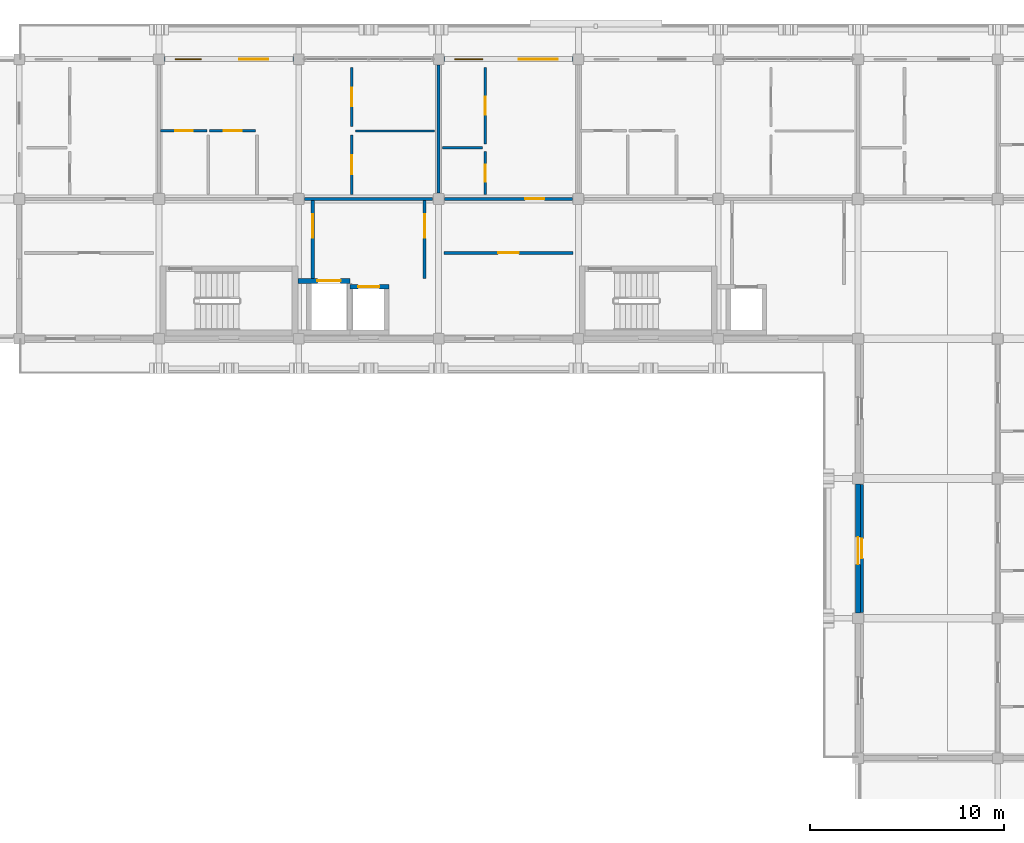
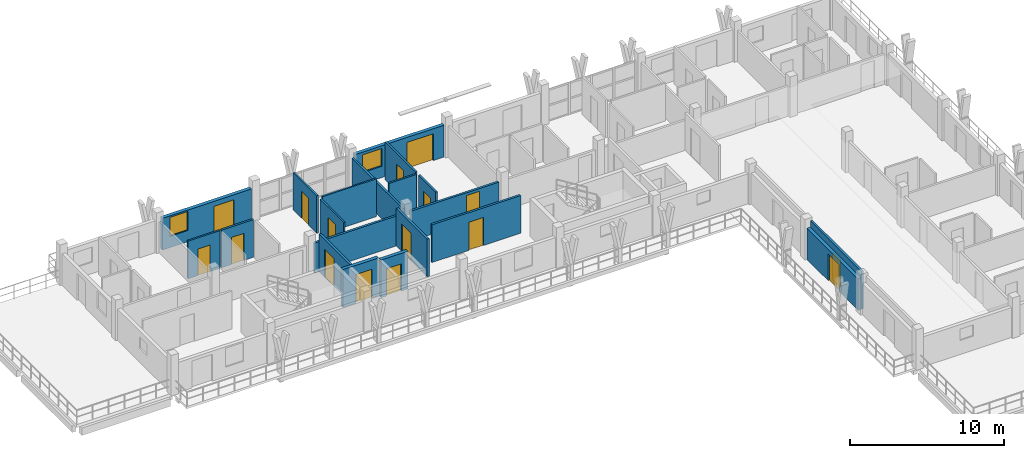
# One storey, part 50 of 73: 20 walls, 16 doors, 2 windows, 18 openings.
"""IFC4 building model written with IfcOpenShell, lengths in metres."""

from ifc_helpers import new_model, si_unit, direction, frame, frame_2d, origin, place, context, subcontext, project, spatial, rectangle, extrude, material, layer, layer_set, type_object, element, fill, save


model = new_model("IFC4")

# Units and contexts
model_context = context("Model", 3, precision=1e-05, world=origin(), true_north=direction((0.0, 1.0)))
body_context = subcontext(model_context, "Body", "Model", "MODEL_VIEW")
ifc_project = project(units=[si_unit("LENGTHUNIT", "METRE"), si_unit("AREAUNIT", "SQUARE_METRE"), si_unit("VOLUMEUNIT", "CUBIC_METRE"), si_unit("PLANEANGLEUNIT", "RADIAN"), si_unit("MASSUNIT", "GRAM", prefix="KILO")], contexts=[model_context])

# Site, building, storey
site_placement = place(None, origin())
site = spatial("IfcSite", under=ifc_project, at=site_placement, CompositionType="ELEMENT")
building_placement = place(site_placement, origin())
building = spatial("IfcBuilding", under=site, at=building_placement, Name="Suanplinth Sawtooth Commons", CompositionType="ELEMENT")
storey_placement = place(building_placement, frame((0.0, 0.0, 21.89990234375)))
storey = spatial("IfcBuildingStorey", under=building, at=storey_placement, Name="L06", CompositionType="ELEMENT", Elevation=21.89990234375)

# Wall, openings, door, window
ifc_material_1 = material(Name="Precast concrete C40/50", Category="concrete")
ifc_layer_1 = layer(ifc_material_1, 0.260009765625, Name="Insulated precast courtyard facade wall 260mm")
ifc_layer_set_1 = layer_set([ifc_layer_1], Name="Precast concrete C40/50")
wall_type_1 = type_object("IfcWallType", Name="W-EX02", PredefinedType="ELEMENTEDWALL", material=ifc_layer_set_1)
wall_1_placement = place(storey_placement, frame((137.074951171875, 122.39990234375, 0.0), z_axis=(0.0, 0.0, 1.0), x_axis=(1.0, 0.0, 0.0)))
wall_1 = element("IfcWall", 1, at=wall_1_placement, inside=storey, type_object=wall_type_1, Name="Facade Wall W-L06-B-N-19-16", PredefinedType="ELEMENTEDWALL", context=body_context, shape_type="SweptSolid", body=[
    extrude(rectangle(XDim=6.650146484375, YDim=0.260009765625, at=frame_2d((3.3251953125, 0.0))), origin(), (0.0, 0.0, 1.0), 2.51513671875),
])
opening_1_placement = place(wall_1_placement, frame((3.85009765625, 0.0, 0.0)))
opening_1 = element("IfcOpeningElement", 2, at=opening_1_placement, cuts=wall_1, Name="Opening ED0502", PredefinedType="OPENING", context=body_context, shape_type="SweptSolid", body=[
    extrude(rectangle(XDim=1.5, YDim=2.1201171875, at=frame_2d((0.75, 1.06005859375))), frame((0.0, 0.14501953125, 0.0), z_axis=(0.0, -1.0, 0.0), x_axis=(1.0, 0.0, 0.0)), (0.0, 0.0, 1.0), 0.289794921875),
])
opening_2_placement = place(wall_1_placement, frame((0.550048828125, 0.0, 0.89990234375)))
opening_2 = element("IfcOpeningElement", 3, at=opening_2_placement, cuts=wall_1, Name="Opening W0588", PredefinedType="OPENING", context=body_context, shape_type="SweptSolid", body=[
    extrude(rectangle(XDim=1.35009765625, YDim=1.5, at=frame_2d((0.675048828125, 0.75))), frame((0.0, 0.14501953125, 0.0), z_axis=(0.0, -1.0, 0.0), x_axis=(1.0, 0.0, 0.0)), (0.0, 0.0, 1.0), 0.289794921875),
])
ifc_material_2 = material(Name="Anodized aluminium and low-E glass", Category="aluminium")
door_type_1 = type_object("IfcDoorType", Name="SD-03", OperationType="SLIDING_TO_LEFT", PredefinedType="DOOR", material=ifc_material_2)
door_1_placement = place(opening_1_placement, frame((1.5, 0.0, 0.0), z_axis=(0.0, 0.0, 1.0), x_axis=(-1.0, 0.0, 0.0)))
door_1 = element("IfcDoor", 4, at=door_1_placement, inside=storey, type_object=door_type_1, Name="Balcony Sliding Door L06-B-19", OperationType="SLIDING_TO_LEFT", OverallHeight=2.1201171875, OverallWidth=1.5, PredefinedType="DOOR", context=body_context, shape_type="SweptSolid", body=[
    extrude(rectangle(XDim=1.5, YDim=2.1201171875, at=frame_2d((0.75, 1.06005859375))), frame((0.0, 0.02490234375, 0.0), z_axis=(0.0, -1.0, 0.0), x_axis=(1.0, 0.0, 0.0)), (0.0, 0.0, 1.0), 0.050048828125),
])
fill(opening_1, door_1)
ifc_material_3 = material(Name="Thermally broken aluminium and low-E double glazing", Category="aluminium")
window_type_1 = type_object("IfcWindowType", Name="WN-14", PartitioningType="SINGLE_PANEL", PredefinedType="WINDOW", material=ifc_material_3)
window_1_placement = place(opening_2_placement, origin())
window_1 = element("IfcWindow", 5, at=window_1_placement, inside=storey, type_object=window_type_1, Name="Apartment Window L06-B-19", OverallHeight=1.5, OverallWidth=1.35009765625, PartitioningType="SINGLE_PANEL", PredefinedType="WINDOW", context=body_context, shape_type="SweptSolid", body=[
    extrude(rectangle(XDim=1.35009765625, YDim=1.5, at=frame_2d((0.675048828125, 0.75))), frame((0.0, 0.030029296875, 0.0), z_axis=(0.0, -1.0, 0.0), x_axis=(1.0, 0.0, 0.0)), (0.0, 0.0, 1.0), 0.06005859375),
])
fill(opening_2, window_1)

wall_2_placement = place(storey_placement, frame((151.47509765625, 122.39990234375, 0.0), z_axis=(0.0, 0.0, 1.0), x_axis=(1.0, 0.0, 0.0)))
wall_2 = element("IfcWall", 6, at=wall_2_placement, inside=storey, type_object=wall_type_1, Name="Facade Wall W-L06-B-N-21-16", PredefinedType="ELEMENTEDWALL", context=body_context, shape_type="SweptSolid", body=[
    extrude(rectangle(XDim=6.64990234375, YDim=0.260009765625, at=frame_2d((3.324951171875, 0.0))), origin(), (0.0, 0.0, 1.0), 2.51513671875),
])
opening_3_placement = place(wall_2_placement, frame((3.85009765625, 0.0, 0.0)))
opening_3 = element("IfcOpeningElement", 7, at=opening_3_placement, cuts=wall_2, Name="Opening ED0504", PredefinedType="OPENING", context=body_context, shape_type="SweptSolid", body=[
    extrude(rectangle(XDim=2.0, YDim=2.1201171875, at=frame_2d((1.0, 1.06005859375))), frame((0.0, 0.14501953125, 0.0), z_axis=(0.0, -1.0, 0.0), x_axis=(1.0, 0.0, 0.0)), (0.0, 0.0, 1.0), 0.289794921875),
])
opening_4_placement = place(wall_2_placement, frame((0.550048828125, 0.0, 0.89990234375)))
opening_4 = element("IfcOpeningElement", 8, at=opening_4_placement, cuts=wall_2, Name="Opening W0591", PredefinedType="OPENING", context=body_context, shape_type="SweptSolid", body=[
    extrude(rectangle(XDim=1.449951171875, YDim=1.39990234375, at=frame_2d((0.72509765625, 0.699951171875))), frame((0.0, 0.14501953125, 0.0), z_axis=(0.0, -1.0, 0.0), x_axis=(1.0, 0.0, 0.0)), (0.0, 0.0, 1.0), 0.289794921875),
])
door_type_2 = type_object("IfcDoorType", Name="SD-06", OperationType="DOUBLE_DOOR_SLIDING", PredefinedType="DOOR", material=ifc_material_2)
door_2_placement = place(opening_3_placement, frame((2.0, 0.0, 0.0), z_axis=(0.0, 0.0, 1.0), x_axis=(-1.0, 0.0, 0.0)))
door_2 = element("IfcDoor", 9, at=door_2_placement, inside=storey, type_object=door_type_2, Name="Balcony Sliding Door L06-B-21", OperationType="DOUBLE_DOOR_SLIDING", OverallHeight=2.1201171875, OverallWidth=2.0, PredefinedType="DOOR", context=body_context, shape_type="SweptSolid", body=[
    extrude(rectangle(XDim=2.0, YDim=2.1201171875, at=frame_2d((1.0, 1.06005859375))), frame((0.0, 0.02490234375, 0.0), z_axis=(0.0, -1.0, 0.0), x_axis=(1.0, 0.0, 0.0)), (0.0, 0.0, 1.0), 0.050048828125),
])
fill(opening_3, door_2)
window_type_2 = type_object("IfcWindowType", Name="WN-16", PartitioningType="DOUBLE_PANEL_VERTICAL", PredefinedType="WINDOW", material=ifc_material_3)
window_2_placement = place(opening_4_placement, origin())
window_2 = element("IfcWindow", 10, at=window_2_placement, inside=storey, type_object=window_type_2, Name="Apartment Window L06-B-21", OverallHeight=1.39990234375, OverallWidth=1.449951171875, PartitioningType="DOUBLE_PANEL_VERTICAL", PredefinedType="WINDOW", context=body_context, shape_type="SweptSolid", body=[
    extrude(rectangle(XDim=1.449951171875, YDim=1.39990234375, at=frame_2d((0.72509765625, 0.699951171875))), frame((0.0, 0.030029296875, 0.0), z_axis=(0.0, -1.0, 0.0), x_axis=(1.0, 0.0, 0.0)), (0.0, 0.0, 1.0), 0.06005859375),
])
fill(opening_4, window_2)

# Wall, opening, door
wall_3_placement = place(storey_placement, frame((172.800048828125, 93.875, 0.0), z_axis=(0.0, 0.0, 1.0), x_axis=(0.0, 1.0, 0.0)))
wall_3 = element("IfcWall", 11, at=wall_3_placement, inside=storey, type_object=wall_type_1, Name="Facade Wall W-L06-B-W-24-13", PredefinedType="ELEMENTEDWALL", context=body_context, shape_type="SweptSolid", body=[
    extrude(rectangle(XDim=6.64990234375, YDim=0.260009765625, at=frame_2d((3.324951171875, 0.0))), origin(), (0.0, 0.0, 1.0), 2.465087890625),
])
opening_5_placement = place(wall_3_placement, frame((2.5, 0.0, 0.0)))
opening_5 = element("IfcOpeningElement", 12, at=opening_5_placement, cuts=wall_3, Name="Opening ED0507", PredefinedType="OPENING", context=body_context, shape_type="SweptSolid", body=[
    extrude(rectangle(XDim=1.39990234375, YDim=2.10009765625, at=frame_2d((0.699951171875, 1.050048828125))), frame((0.0, 0.14501953125, 0.0), z_axis=(0.0, -1.0, 0.0), x_axis=(1.0, 0.0, 0.0)), (0.0, 0.0, 1.0), 0.289794921875),
])
door_type_3 = type_object("IfcDoorType", Name="SD-07", OperationType="SLIDING_TO_RIGHT", PredefinedType="DOOR", material=ifc_material_2)
door_3_placement = place(opening_5_placement, frame((1.39990234375, 0.0, 0.0), z_axis=(0.0, 0.0, 1.0), x_axis=(-1.0, 0.0, 0.0)))
door_3 = element("IfcDoor", 13, at=door_3_placement, inside=storey, type_object=door_type_3, Name="Courtyard Veranda Studio Balcony Door L06-B-13", OperationType="SLIDING_TO_RIGHT", OverallHeight=2.10009765625, OverallWidth=1.39990234375, PredefinedType="DOOR", context=body_context, shape_type="SweptSolid", body=[
    extrude(rectangle(XDim=1.39990234375, YDim=2.10009765625, at=frame_2d((0.699951171875, 1.050048828125))), frame((0.0, 0.02490234375, 0.0), z_axis=(0.0, -1.0, 0.0), x_axis=(1.0, 0.0, 0.0)), (0.0, 0.0, 1.0), 0.050048828125),
])
fill(opening_5, door_3)

ifc_layer_2 = layer(ifc_material_1, 0.159912109375, Name="Fire-rated corridor and lobby wall 160mm")
ifc_layer_set_2 = layer_set([ifc_layer_2], Name="Precast concrete C40/50")
wall_type_2 = type_object("IfcWallType", Name="W-FW01", PredefinedType="PARTITIONING", material=ifc_layer_set_2)
wall_4_placement = place(storey_placement, frame((144.719970703125, 111.10009765625, 0.0), z_axis=(0.0, 0.0, 1.0), x_axis=(0.0, 1.0, 0.0)))
wall_4 = element("IfcWall", 14, at=wall_4_placement, inside=storey, type_object=wall_type_2, Name="W-L06-C-B1-LOB-W", PredefinedType="PARTITIONING", context=body_context, shape_type="SweptSolid", body=[
    extrude(rectangle(XDim=4.02001953125, YDim=0.159912109375, at=frame_2d((2.010009765625, 0.0))), origin(), (0.0, 0.0, 1.0), 2.97998046875),
])
opening_6_placement = place(wall_4_placement, frame((2.10009765625, 0.0, 0.0)))
opening_6 = element("IfcOpeningElement", 15, at=opening_6_placement, cuts=wall_4, Name="Opening FD0190", PredefinedType="OPENING", context=body_context, shape_type="SweptSolid", body=[
    extrude(rectangle(XDim=1.199951171875, YDim=2.199951171875, at=frame_2d((0.60009765625, 1.10009765625))), frame((0.0, 0.0947265625, 0.0), z_axis=(0.0, -1.0, 0.0), x_axis=(1.0, 0.0, 0.0)), (0.0, 0.0, 1.0), 0.189697265625),
])
ifc_material_4 = material(Name="Teak hardwood fire-rated door assembly", Category="wood")
door_type_4 = type_object("IfcDoorType", Name="FD-02", OperationType="NOTDEFINED", PredefinedType="DOOR", material=ifc_material_4)
door_4_placement = place(opening_6_placement, origin())
door_4 = element("IfcDoor", 16, at=door_4_placement, inside=storey, type_object=door_type_4, Name="Lobby Fire Door FD0190", OperationType="SINGLE_SWING_RIGHT", OverallHeight=2.199951171875, OverallWidth=1.199951171875, PredefinedType="DOOR", context=body_context, shape_type="SweptSolid", body=[
    extrude(rectangle(XDim=1.199951171875, YDim=2.199951171875, at=frame_2d((0.60009765625, 1.10009765625))), frame((0.0, 0.02490234375, 0.0), z_axis=(0.0, -1.0, 0.0), x_axis=(1.0, 0.0, 0.0)), (0.0, 0.0, 1.0), 0.050048828125),
])
fill(opening_6, door_4)

wall_5_placement = place(storey_placement, frame((150.47998046875, 111.10009765625, 0.0), z_axis=(0.0, 0.0, 1.0), x_axis=(0.0, 1.0, 0.0)))
wall_5 = element("IfcWall", 17, at=wall_5_placement, inside=storey, type_object=wall_type_2, Name="W-L06-C-B1-LOB-E", PredefinedType="PARTITIONING", context=body_context, shape_type="SweptSolid", body=[
    extrude(rectangle(XDim=4.02001953125, YDim=0.159912109375, at=frame_2d((2.010009765625, 0.0))), origin(), (0.0, 0.0, 1.0), 2.97998046875),
])
opening_7_placement = place(wall_5_placement, frame((2.10009765625, 0.0, 0.0)))
opening_7 = element("IfcOpeningElement", 18, at=opening_7_placement, cuts=wall_5, Name="Opening FD0191", PredefinedType="OPENING", context=body_context, shape_type="SweptSolid", body=[
    extrude(rectangle(XDim=1.199951171875, YDim=2.199951171875, at=frame_2d((0.60009765625, 1.10009765625))), frame((0.0, 0.0947265625, 0.0), z_axis=(0.0, -1.0, 0.0), x_axis=(1.0, 0.0, 0.0)), (0.0, 0.0, 1.0), 0.189697265625),
])
door_5_placement = place(opening_7_placement, frame((1.199951171875, 0.0, 0.0), z_axis=(0.0, 0.0, 1.0), x_axis=(-1.0, 0.0, 0.0)))
door_5 = element("IfcDoor", 19, at=door_5_placement, inside=storey, type_object=door_type_4, Name="Lobby Fire Door FD0191", OperationType="SINGLE_SWING_LEFT", OverallHeight=2.199951171875, OverallWidth=1.199951171875, PredefinedType="DOOR", context=body_context, shape_type="SweptSolid", body=[
    extrude(rectangle(XDim=1.199951171875, YDim=2.199951171875, at=frame_2d((0.60009765625, 1.10009765625))), frame((0.0, 0.02490234375, 0.0), z_axis=(0.0, -1.0, 0.0), x_axis=(1.0, 0.0, 0.0)), (0.0, 0.0, 1.0), 0.050048828125),
])
fill(opening_7, door_5)

# Wall
wall_6_placement = place(storey_placement, frame((144.304931640625, 115.199951171875, 0.0), z_axis=(0.0, 0.0, 1.0), x_axis=(1.0, 0.0, 0.0)))
element("IfcWall", 20, at=wall_6_placement, inside=storey, type_object=wall_type_2, Name="W-B-L06-U02-COR-S2", PredefinedType="PARTITIONING", context=body_context, shape_type="SweptSolid", body=[
    extrude(rectangle(XDim=6.590087890625, YDim=0.159912109375, at=frame_2d((3.294921875, 0.0))), origin(), (0.0, 0.0, 1.0), 2.364990234375),
])

# Wall, opening, door
wall_7_placement = place(storey_placement, frame((151.5048828125, 115.199951171875, 0.0), z_axis=(0.0, 0.0, 1.0), x_axis=(1.0, 0.0, 0.0)))
wall_7 = element("IfcWall", 21, at=wall_7_placement, inside=storey, type_object=wall_type_2, Name="W-B-L06-U03-COR", PredefinedType="PARTITIONING", context=body_context, shape_type="SweptSolid", body=[
    extrude(rectangle(XDim=6.590087890625, YDim=0.159912109375, at=frame_2d((3.294921875, 0.0))), origin(), (0.0, 0.0, 1.0), 2.364990234375),
])
opening_8_placement = place(wall_7_placement, frame((4.14501953125, 0.0, 0.0)))
opening_8 = element("IfcOpeningElement", 22, at=opening_8_placement, cuts=wall_7, Name="Opening FD1412", PredefinedType="OPENING", context=body_context, shape_type="SweptSolid", body=[
    extrude(rectangle(XDim=1.0, YDim=2.14990234375, at=frame_2d((0.5, 1.074951171875))), frame((0.0, 0.0947265625, 0.0), z_axis=(0.0, -1.0, 0.0), x_axis=(1.0, 0.0, 0.0)), (0.0, 0.0, 1.0), 0.189697265625),
])
door_type_5 = type_object("IfcDoorType", Name="FD-03", OperationType="NOTDEFINED", PredefinedType="DOOR", material=ifc_material_4)
door_6_placement = place(opening_8_placement, origin())
door_6 = element("IfcDoor", 23, at=door_6_placement, inside=storey, type_object=door_type_5, Name="Unit Entrance Door FD1412", OperationType="SINGLE_SWING_RIGHT", OverallHeight=2.14990234375, OverallWidth=1.0, PredefinedType="DOOR", context=body_context, shape_type="SweptSolid", body=[
    extrude(rectangle(XDim=1.0, YDim=2.14990234375, at=frame_2d((0.5, 1.074951171875))), frame((0.0, 0.02490234375, 0.0), z_axis=(0.0, -1.0, 0.0), x_axis=(1.0, 0.0, 0.0)), (0.0, 0.0, 1.0), 0.050048828125),
])
fill(opening_8, door_6)

wall_8_placement = place(storey_placement, frame((151.47998046875, 112.419921875, 0.0), z_axis=(0.0, 0.0, 1.0), x_axis=(1.0, 0.0, 0.0)))
wall_8 = element("IfcWall", 24, at=wall_8_placement, inside=storey, type_object=wall_type_2, Name="W-B-L06-COURTROOM-28-COR", PredefinedType="PARTITIONING", context=body_context, shape_type="SweptSolid", body=[
    extrude(rectangle(XDim=6.64013671875, YDim=0.159912109375, at=frame_2d((3.320068359375, 0.0))), origin(), (0.0, 0.0, 1.0), 2.97998046875),
])
opening_9_placement = place(wall_8_placement, frame((2.780029296875, 0.0, 0.0)))
opening_9 = element("IfcOpeningElement", 25, at=opening_9_placement, cuts=wall_8, Name="Opening D1428", PredefinedType="OPENING", context=body_context, shape_type="SweptSolid", body=[
    extrude(rectangle(XDim=1.080078125, YDim=2.219970703125, at=frame_2d((0.5400390625, 1.10986328125))), frame((0.0, 0.0947265625, 0.0), z_axis=(0.0, -1.0, 0.0), x_axis=(1.0, 0.0, 0.0)), (0.0, 0.0, 1.0), 0.189697265625),
])
ifc_material_5 = material(Name="Teak hardwood", Category="wood")
door_type_6 = type_object("IfcDoorType", Name="D-17", OperationType="NOTDEFINED", PredefinedType="DOOR", material=ifc_material_5)
door_7_placement = place(opening_9_placement, frame((1.080078125, 0.0, 0.0), z_axis=(0.0, 0.0, 1.0), x_axis=(-1.0, 0.0, 0.0)))
door_7 = element("IfcDoor", 26, at=door_7_placement, inside=storey, type_object=door_type_6, Name="Study Studio Door D1428", OperationType="SINGLE_SWING_RIGHT", OverallHeight=2.219970703125, OverallWidth=1.080078125, PredefinedType="DOOR", context=body_context, shape_type="SweptSolid", body=[
    extrude(rectangle(XDim=1.080078125, YDim=2.219970703125, at=frame_2d((0.5400390625, 1.10986328125))), frame((0.0, 0.02490234375, 0.0), z_axis=(0.0, -1.0, 0.0), x_axis=(1.0, 0.0, 0.0)), (0.0, 0.0, 1.0), 0.050048828125),
])
fill(opening_9, door_7)

wall_9_placement = place(storey_placement, frame((173.0, 93.905029296875, 0.0), z_axis=(0.0, 0.0, 1.0), x_axis=(0.0, 1.0, 0.0)))
wall_9 = element("IfcWall", 27, at=wall_9_placement, inside=storey, type_object=wall_type_2, Name="W-B-L06-LEGCOURTROOM-32-COR", PredefinedType="PARTITIONING", context=body_context, shape_type="SweptSolid", body=[
    extrude(rectangle(XDim=6.590087890625, YDim=0.159912109375, at=frame_2d((3.294921875, 0.0))), origin(), (0.0, 0.0, 1.0), 2.97998046875),
])
opening_10_placement = place(wall_9_placement, frame((2.784912109375, 0.0, 0.0)))
opening_10 = element("IfcOpeningElement", 28, at=opening_10_placement, cuts=wall_9, Name="Opening D1434", PredefinedType="OPENING", context=body_context, shape_type="SweptSolid", body=[
    extrude(rectangle(XDim=1.02001953125, YDim=2.179931640625, at=frame_2d((0.510009765625, 1.08984375))), frame((0.0, 0.0947265625, 0.0), z_axis=(0.0, -1.0, 0.0), x_axis=(1.0, 0.0, 0.0)), (0.0, 0.0, 1.0), 0.189697265625),
])
door_type_7 = type_object("IfcDoorType", Name="D-16", OperationType="NOTDEFINED", PredefinedType="DOOR", material=ifc_material_5)
door_8_placement = place(opening_10_placement, origin())
door_8 = element("IfcDoor", 29, at=door_8_placement, inside=storey, type_object=door_type_7, Name="Veranda Studio Door D1434", OperationType="SINGLE_SWING_RIGHT", OverallHeight=2.179931640625, OverallWidth=1.02001953125, PredefinedType="DOOR", context=body_context, shape_type="SweptSolid", body=[
    extrude(rectangle(XDim=1.02001953125, YDim=2.179931640625, at=frame_2d((0.510009765625, 1.08984375))), frame((0.0, 0.02490234375, 0.0), z_axis=(0.0, -1.0, 0.0), x_axis=(1.0, 0.0, 0.0)), (0.0, 0.0, 1.0), 0.050048828125),
])
fill(opening_10, door_8)

# Wall
ifc_layer_3 = layer(ifc_material_1, 0.14990234375, Name="Acoustic precast party demising wall 150mm")
ifc_layer_set_3 = layer_set([ifc_layer_3], Name="Precast concrete C40/50")
wall_type_3 = type_object("IfcWallType", Name="W-FW02", PredefinedType="PARTITIONING", material=ifc_layer_set_3)
wall_10_placement = place(storey_placement, frame((151.199951171875, 115.5048828125, 0.0), z_axis=(0.0, 0.0, 1.0), x_axis=(0.0, 1.0, 0.0)))
element("IfcWall", 30, at=wall_10_placement, inside=storey, type_object=wall_type_3, Name="W-B-L06-U02-PTY", PredefinedType="PARTITIONING", context=body_context, shape_type="SweptSolid", body=[
    extrude(rectangle(XDim=6.590087890625, YDim=0.14990234375, at=frame_2d((3.294921875, 0.0))), origin(), (0.0, 0.0, 1.0), 2.465087890625),
])

# Wall, opening, door
ifc_material_6 = material(Name="Gypsum plasterboard on steel stud", Category="steel")
ifc_layer_4 = layer(ifc_material_6, 0.139892578125, Name="Fire-rated kitchen partition 140mm")
ifc_layer_set_4 = layer_set([ifc_layer_4], Name="Gypsum plasterboard on steel stud")
wall_type_4 = type_object("IfcWallType", Name="W-PT01", PredefinedType="PARTITIONING", material=ifc_layer_set_4)
wall_11_placement = place(storey_placement, frame((139.39990234375, 118.7099609375, 0.0), z_axis=(0.0, 0.0, 1.0), x_axis=(1.0, 0.0, 0.0)))
wall_11 = element("IfcWall", 31, at=wall_11_placement, inside=storey, type_object=wall_type_4, Name="W-B-L06-U02-KIT1", PredefinedType="PARTITIONING", context=body_context, shape_type="SweptSolid", body=[
    extrude(rectangle(XDim=2.380126953125, YDim=0.139892578125, at=frame_2d((1.18994140625, 0.0))), origin(), (0.0, 0.0, 1.0), 2.97998046875),
])
opening_11_placement = place(wall_11_placement, frame((0.72509765625, 0.0, 0.0)))
opening_11 = element("IfcOpeningElement", 32, at=opening_11_placement, cuts=wall_11, Name="Opening D1409", PredefinedType="OPENING", context=body_context, shape_type="SweptSolid", body=[
    extrude(rectangle(XDim=0.929931640625, YDim=2.139892578125, at=frame_2d((0.46484375, 1.06982421875))), frame((0.0, 0.0849609375, 0.0), z_axis=(0.0, -1.0, 0.0), x_axis=(1.0, 0.0, 0.0)), (0.0, 0.0, 1.0), 0.169677734375),
])
door_type_8 = type_object("IfcDoorType", Name="D-19", OperationType="NOTDEFINED", PredefinedType="DOOR", material=ifc_material_5)
door_9_placement = place(opening_11_placement, frame((0.929931640625, 0.0, 0.0), z_axis=(0.0, 0.0, 1.0), x_axis=(-1.0, 0.0, 0.0)))
door_9 = element("IfcDoor", 33, at=door_9_placement, inside=storey, type_object=door_type_8, Name="Kitchen Door D1409", OperationType="SINGLE_SWING_LEFT", OverallHeight=2.139892578125, OverallWidth=0.929931640625, PredefinedType="DOOR", context=body_context, shape_type="SweptSolid", body=[
    extrude(rectangle(XDim=0.929931640625, YDim=2.139892578125, at=frame_2d((0.46484375, 1.06982421875))), frame((0.0, 0.02490234375, 0.0), z_axis=(0.0, -1.0, 0.0), x_axis=(1.0, 0.0, 0.0)), (0.0, 0.0, 1.0), 0.050048828125),
])
fill(opening_11, door_9)

wall_12_placement = place(storey_placement, frame((153.594970703125, 118.0400390625, 0.0), z_axis=(0.0, 0.0, 1.0), x_axis=(0.0, 1.0, 0.0)))
wall_12 = element("IfcWall", 34, at=wall_12_placement, inside=storey, type_object=wall_type_4, Name="W-B-L06-U03-KITE", PredefinedType="PARTITIONING", context=body_context, shape_type="SweptSolid", body=[
    extrude(rectangle(XDim=3.93994140625, YDim=0.139892578125, at=frame_2d((1.969970703125, 0.0))), origin(), (0.0, 0.0, 1.0), 2.97998046875),
])
opening_12_placement = place(wall_12_placement, frame((1.5048828125, 0.0, 0.0)))
opening_12 = element("IfcOpeningElement", 35, at=opening_12_placement, cuts=wall_12, Name="Opening D1414", PredefinedType="OPENING", context=body_context, shape_type="SweptSolid", body=[
    extrude(rectangle(XDim=0.929931640625, YDim=2.139892578125, at=frame_2d((0.46484375, 1.06982421875))), frame((0.0, 0.0849609375, 0.0), z_axis=(0.0, -1.0, 0.0), x_axis=(1.0, 0.0, 0.0)), (0.0, 0.0, 1.0), 0.169677734375),
])
door_10_placement = place(opening_12_placement, origin())
door_10 = element("IfcDoor", 36, at=door_10_placement, inside=storey, type_object=door_type_8, Name="Kitchen Door D1414", OperationType="SINGLE_SWING_RIGHT", OverallHeight=2.139892578125, OverallWidth=0.929931640625, PredefinedType="DOOR", context=body_context, shape_type="SweptSolid", body=[
    extrude(rectangle(XDim=0.929931640625, YDim=2.139892578125, at=frame_2d((0.46484375, 1.06982421875))), frame((0.0, 0.02490234375, 0.0), z_axis=(0.0, -1.0, 0.0), x_axis=(1.0, 0.0, 0.0)), (0.0, 0.0, 1.0), 0.050048828125),
])
fill(opening_12, door_10)

ifc_layer_5 = layer(ifc_material_6, 0.1298828125, Name="Moisture-resistant bathroom partition 130mm")
ifc_layer_set_5 = layer_set([ifc_layer_5], Name="Gypsum plasterboard on steel stud")
wall_type_5 = type_object("IfcWallType", Name="W-PT02", PredefinedType="PARTITIONING", material=ifc_layer_set_5)
wall_13_placement = place(storey_placement, frame((136.8798828125, 118.705078125, 0.0), z_axis=(0.0, 0.0, 1.0), x_axis=(1.0, 0.0, 0.0)))
wall_13 = element("IfcWall", 37, at=wall_13_placement, inside=storey, type_object=wall_type_5, Name="W-B-L06-U02-BTH1", PredefinedType="PARTITIONING", context=body_context, shape_type="SweptSolid", body=[
    extrude(rectangle(XDim=2.400146484375, YDim=0.1298828125, at=frame_2d((1.2001953125, 0.0))), origin(), (0.0, 0.0, 1.0), 2.97998046875),
])
opening_13_placement = place(wall_13_placement, frame((0.75, 0.0, 0.0)))
opening_13 = element("IfcOpeningElement", 38, at=opening_13_placement, cuts=wall_13, Name="Opening D1408", PredefinedType="OPENING", context=body_context, shape_type="SweptSolid", body=[
    extrude(rectangle(XDim=0.89990234375, YDim=2.10009765625, at=frame_2d((0.449951171875, 1.050048828125))), frame((0.0, 0.079833984375, 0.0), z_axis=(0.0, -1.0, 0.0), x_axis=(1.0, 0.0, 0.0)), (0.0, 0.0, 1.0), 0.15966796875),
])
door_type_9 = type_object("IfcDoorType", Name="D-01", OperationType="NOTDEFINED", PredefinedType="DOOR", material=ifc_material_5)
door_11_placement = place(opening_13_placement, frame((0.89990234375, 0.0, 0.0), z_axis=(0.0, 0.0, 1.0), x_axis=(-1.0, 0.0, 0.0)))
door_11 = element("IfcDoor", 39, at=door_11_placement, inside=storey, type_object=door_type_9, Name="Bathroom Door D1408", OperationType="SINGLE_SWING_RIGHT", OverallHeight=2.10009765625, OverallWidth=0.89990234375, PredefinedType="DOOR", context=body_context, shape_type="SweptSolid", body=[
    extrude(rectangle(XDim=0.89990234375, YDim=2.10009765625, at=frame_2d((0.449951171875, 1.050048828125))), frame((0.0, 0.02490234375, 0.0), z_axis=(0.0, -1.0, 0.0), x_axis=(1.0, 0.0, 0.0)), (0.0, 0.0, 1.0), 0.050048828125),
])
fill(opening_13, door_11)

# Wall
wall_14_placement = place(storey_placement, frame((151.39990234375, 117.840087890625, 0.0), z_axis=(0.0, 0.0, 1.0), x_axis=(1.0, 0.0, 0.0)))
element("IfcWall", 40, at=wall_14_placement, inside=storey, type_object=wall_type_5, Name="W-B-L06-U03-STDIV", PredefinedType="PARTITIONING", context=body_context, shape_type="SweptSolid", body=[
    extrude(rectangle(XDim=2.050048828125, YDim=0.1298828125, at=frame_2d((1.02490234375, 0.0))), origin(), (0.0, 0.0, 1.0), 2.97998046875),
])

# Wall, opening, door
wall_15_placement = place(storey_placement, frame((153.594970703125, 115.419921875, 0.0), z_axis=(0.0, 0.0, 1.0), x_axis=(0.0, 1.0, 0.0)))
wall_15 = element("IfcWall", 41, at=wall_15_placement, inside=storey, type_object=wall_type_5, Name="W-B-L06-U03-BTHE", PredefinedType="PARTITIONING", context=body_context, shape_type="SweptSolid", body=[
    extrude(rectangle(XDim=2.219970703125, YDim=0.1298828125, at=frame_2d((1.10986328125, 0.0))), origin(), (0.0, 0.0, 1.0), 2.97998046875),
])
opening_14_placement = place(wall_15_placement, frame((0.669921875, 0.0, 0.0)))
opening_14 = element("IfcOpeningElement", 42, at=opening_14_placement, cuts=wall_15, Name="Opening D1413", PredefinedType="OPENING", context=body_context, shape_type="SweptSolid", body=[
    extrude(rectangle(XDim=0.8798828125, YDim=2.10009765625, at=frame_2d((0.43994140625, 1.050048828125))), frame((0.0, 0.079833984375, 0.0), z_axis=(0.0, -1.0, 0.0), x_axis=(1.0, 0.0, 0.0)), (0.0, 0.0, 1.0), 0.15966796875),
])
door_type_10 = type_object("IfcDoorType", Name="D-14", OperationType="NOTDEFINED", PredefinedType="DOOR", material=ifc_material_5)
door_12_placement = place(opening_14_placement, origin())
door_12 = element("IfcDoor", 43, at=door_12_placement, inside=storey, type_object=door_type_10, Name="Bathroom Door D1413", OperationType="SINGLE_SWING_LEFT", OverallHeight=2.10009765625, OverallWidth=0.8798828125, PredefinedType="DOOR", context=body_context, shape_type="SweptSolid", body=[
    extrude(rectangle(XDim=0.8798828125, YDim=2.10009765625, at=frame_2d((0.43994140625, 1.050048828125))), frame((0.0, 0.02490234375, 0.0), z_axis=(0.0, -1.0, 0.0), x_axis=(1.0, 0.0, 0.0)), (0.0, 0.0, 1.0), 0.050048828125),
])
fill(opening_14, door_12)

ifc_layer_6 = layer(ifc_material_6, 0.1201171875, Name="Acoustic bedroom partition 120mm")
ifc_layer_set_6 = layer_set([ifc_layer_6], Name="Gypsum plasterboard on steel stud")
wall_type_6 = type_object("IfcWallType", Name="W-PT03", PredefinedType="PARTITIONING", material=ifc_layer_set_6)
wall_16_placement = place(storey_placement, frame((146.719970703125, 118.919921875, 0.0), z_axis=(0.0, 0.0, 1.0), x_axis=(0.0, 1.0, 0.0)))
wall_16 = element("IfcWall", 44, at=wall_16_placement, inside=storey, type_object=wall_type_6, Name="W-B-L06-U02-BED1", PredefinedType="PARTITIONING", context=body_context, shape_type="SweptSolid", body=[
    extrude(rectangle(XDim=3.0400390625, YDim=0.1201171875, at=frame_2d((1.52001953125, 0.0))), origin(), (0.0, 0.0, 1.0), 2.97998046875),
])
opening_15_placement = place(wall_16_placement, frame((1.044921875, 0.0, 0.0)))
opening_15 = element("IfcOpeningElement", 45, at=opening_15_placement, cuts=wall_16, Name="Opening D1410", PredefinedType="OPENING", context=body_context, shape_type="SweptSolid", body=[
    extrude(rectangle(XDim=0.949951171875, YDim=2.14990234375, at=frame_2d((0.47509765625, 1.074951171875))), frame((0.0, 0.074951171875, 0.0), z_axis=(0.0, -1.0, 0.0), x_axis=(1.0, 0.0, 0.0)), (0.0, 0.0, 1.0), 0.14990234375),
])
door_type_11 = type_object("IfcDoorType", Name="D-03", OperationType="NOTDEFINED", PredefinedType="DOOR", material=ifc_material_5)
door_13_placement = place(opening_15_placement, frame((0.949951171875, 0.0, 0.0), z_axis=(0.0, 0.0, 1.0), x_axis=(-1.0, 0.0, 0.0)))
door_13 = element("IfcDoor", 46, at=door_13_placement, inside=storey, type_object=door_type_11, Name="Bedroom Door D1410", OperationType="SINGLE_SWING_RIGHT", OverallHeight=2.14990234375, OverallWidth=0.949951171875, PredefinedType="DOOR", context=body_context, shape_type="SweptSolid", body=[
    extrude(rectangle(XDim=0.949951171875, YDim=2.14990234375, at=frame_2d((0.47509765625, 1.074951171875))), frame((0.0, 0.02490234375, 0.0), z_axis=(0.0, -1.0, 0.0), x_axis=(1.0, 0.0, 0.0)), (0.0, 0.0, 1.0), 0.050048828125),
])
fill(opening_15, door_13)

wall_17_placement = place(storey_placement, frame((146.719970703125, 115.43994140625, 0.0), z_axis=(0.0, 0.0, 1.0), x_axis=(0.0, 1.0, 0.0)))
wall_17 = element("IfcWall", 47, at=wall_17_placement, inside=storey, type_object=wall_type_6, Name="W-B-L06-U02-BED2", PredefinedType="PARTITIONING", context=body_context, shape_type="SweptSolid", body=[
    extrude(rectangle(XDim=3.0400390625, YDim=0.1201171875, at=frame_2d((1.52001953125, 0.0))), origin(), (0.0, 0.0, 1.0), 2.97998046875),
])
opening_16_placement = place(wall_17_placement, frame((1.0400390625, 0.0, 0.0)))
opening_16 = element("IfcOpeningElement", 48, at=opening_16_placement, cuts=wall_17, Name="Opening D1411", PredefinedType="OPENING", context=body_context, shape_type="SweptSolid", body=[
    extrude(rectangle(XDim=0.9599609375, YDim=2.14990234375, at=frame_2d((0.47998046875, 1.074951171875))), frame((0.0, 0.074951171875, 0.0), z_axis=(0.0, -1.0, 0.0), x_axis=(1.0, 0.0, 0.0)), (0.0, 0.0, 1.0), 0.14990234375),
])
door_type_12 = type_object("IfcDoorType", Name="D-13", OperationType="NOTDEFINED", PredefinedType="DOOR", material=ifc_material_5)
door_14_placement = place(opening_16_placement, frame((0.9599609375, 0.0, 0.0), z_axis=(0.0, 0.0, 1.0), x_axis=(-1.0, 0.0, 0.0)))
door_14 = element("IfcDoor", 49, at=door_14_placement, inside=storey, type_object=door_type_12, Name="Second Bedroom Door D1411", OperationType="SINGLE_SWING_LEFT", OverallHeight=2.14990234375, OverallWidth=0.9599609375, PredefinedType="DOOR", context=body_context, shape_type="SweptSolid", body=[
    extrude(rectangle(XDim=0.9599609375, YDim=2.14990234375, at=frame_2d((0.47998046875, 1.074951171875))), frame((0.0, 0.02490234375, 0.0), z_axis=(0.0, -1.0, 0.0), x_axis=(1.0, 0.0, 0.0)), (0.0, 0.0, 1.0), 0.050048828125),
])
fill(opening_16, door_14)

# Wall
ifc_layer_7 = layer(ifc_material_6, 0.125, Name="Acoustic study partition 125mm")
ifc_layer_set_7 = layer_set([ifc_layer_7], Name="Gypsum plasterboard on steel stud")
wall_type_7 = type_object("IfcWallType", Name="W-PT06", PredefinedType="PARTITIONING", material=ifc_layer_set_7)
wall_18_placement = place(storey_placement, frame((146.919921875, 118.699951171875, 0.0), z_axis=(0.0, 0.0, 1.0), x_axis=(1.0, 0.0, 0.0)))
element("IfcWall", 50, at=wall_18_placement, inside=storey, type_object=wall_type_7, Name="W-B-L06-U02-BEDDIV", PredefinedType="PARTITIONING", context=body_context, shape_type="SweptSolid", body=[
    extrude(rectangle(XDim=4.06005859375, YDim=0.125, at=frame_2d((2.030029296875, 0.0))), origin(), (0.0, 0.0, 1.0), 2.97998046875),
])

# Wall, opening, door
ifc_layer_8 = layer(ifc_material_1, 0.25, Name="Precast structural shear wall 250mm")
ifc_layer_set_8 = layer_set([ifc_layer_8], Name="Precast concrete C40/50")
wall_type_8 = type_object("IfcWallType", Name="W-SH01", PredefinedType="SHEAR", material=ifc_layer_set_8)
wall_19_placement = place(storey_placement, frame((143.949951171875, 110.97509765625, 0.0), z_axis=(0.0, 0.0, 1.0), x_axis=(1.0, 0.0, 0.0)))
wall_19 = element("IfcWall", 51, at=wall_19_placement, inside=storey, type_object=wall_type_8, Name="W-L06-FL2-N", PredefinedType="SHEAR", context=body_context, shape_type="SweptSolid", body=[
    extrude(rectangle(XDim=2.675048828125, YDim=0.25, at=frame_2d((1.33740234375, 0.0))), origin(), (0.0, 0.0, 1.0), 2.97998046875),
])
opening_17_placement = place(wall_19_placement, frame((1.0, 0.0, 0.0)))
opening_17 = element("IfcOpeningElement", 52, at=opening_17_placement, cuts=wall_19, Name="Opening LD0192", PredefinedType="OPENING", context=body_context, shape_type="SweptSolid", body=[
    extrude(rectangle(XDim=1.199951171875, YDim=2.25, at=frame_2d((0.60009765625, 1.125))), frame((0.0, 0.139892578125, 0.0), z_axis=(0.0, -1.0, 0.0), x_axis=(1.0, 0.0, 0.0)), (0.0, 0.0, 1.0), 0.27978515625),
])
ifc_material_7 = material(Name="Stainless steel Grade 304", Category="steel")
door_type_13 = type_object("IfcDoorType", Name="LD-02", OperationType="SLIDING_TO_LEFT", PredefinedType="DOOR", material=ifc_material_7)
door_15_placement = place(opening_17_placement, origin())
door_15 = element("IfcDoor", 53, at=door_15_placement, inside=storey, type_object=door_type_13, Name="Lift Landing Sliding Door FL2 L06", OperationType="SLIDING_TO_LEFT", OverallHeight=2.25, OverallWidth=1.199951171875, PredefinedType="DOOR", context=body_context, shape_type="SweptSolid", body=[
    extrude(rectangle(XDim=1.199951171875, YDim=2.25, at=frame_2d((0.60009765625, 1.125))), frame((0.0, 0.02490234375, 0.0), z_axis=(0.0, -1.0, 0.0), x_axis=(1.0, 0.0, 0.0)), (0.0, 0.0, 1.0), 0.050048828125),
])
fill(opening_17, door_15)

wall_20_placement = place(storey_placement, frame((146.625, 110.675048828125, 0.0), z_axis=(0.0, 0.0, 1.0), x_axis=(1.0, 0.0, 0.0)))
wall_20 = element("IfcWall", 54, at=wall_20_placement, inside=storey, type_object=wall_type_8, Name="W-L06-LF3-N", PredefinedType="SHEAR", context=body_context, shape_type="SweptSolid", body=[
    extrude(rectangle(XDim=2.02490234375, YDim=0.25, at=frame_2d((1.012451171875, 0.0))), origin(), (0.0, 0.0, 1.0), 2.97998046875),
])
opening_18_placement = place(wall_20_placement, frame((0.425048828125, 0.0, 0.0)))
opening_18 = element("IfcOpeningElement", 55, at=opening_18_placement, cuts=wall_20, Name="Opening LD0193", PredefinedType="OPENING", context=body_context, shape_type="SweptSolid", body=[
    extrude(rectangle(XDim=1.10009765625, YDim=2.14990234375, at=frame_2d((0.550048828125, 1.074951171875))), frame((0.0, 0.139892578125, 0.0), z_axis=(0.0, -1.0, 0.0), x_axis=(1.0, 0.0, 0.0)), (0.0, 0.0, 1.0), 0.27978515625),
])
door_type_14 = type_object("IfcDoorType", Name="LD-01", OperationType="SLIDING_TO_LEFT", PredefinedType="DOOR", material=ifc_material_7)
door_16_placement = place(opening_18_placement, origin())
door_16 = element("IfcDoor", 56, at=door_16_placement, inside=storey, type_object=door_type_14, Name="Lift Landing Sliding Door LF3 L06", OperationType="SLIDING_TO_LEFT", OverallHeight=2.14990234375, OverallWidth=1.10009765625, PredefinedType="DOOR", context=body_context, shape_type="SweptSolid", body=[
    extrude(rectangle(XDim=1.10009765625, YDim=2.14990234375, at=frame_2d((0.550048828125, 1.074951171875))), frame((0.0, 0.02490234375, 0.0), z_axis=(0.0, -1.0, 0.0), x_axis=(1.0, 0.0, 0.0)), (0.0, 0.0, 1.0), 0.050048828125),
])
fill(opening_18, door_16)

save(model, "model.ifc")
